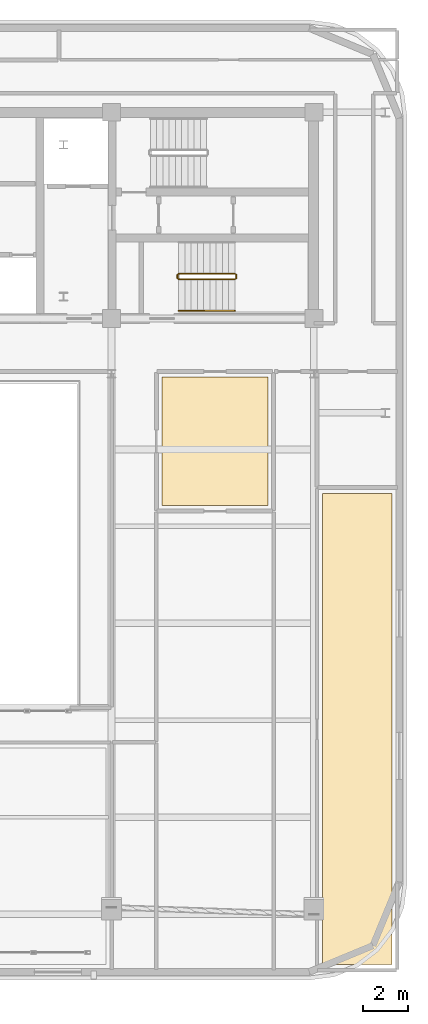
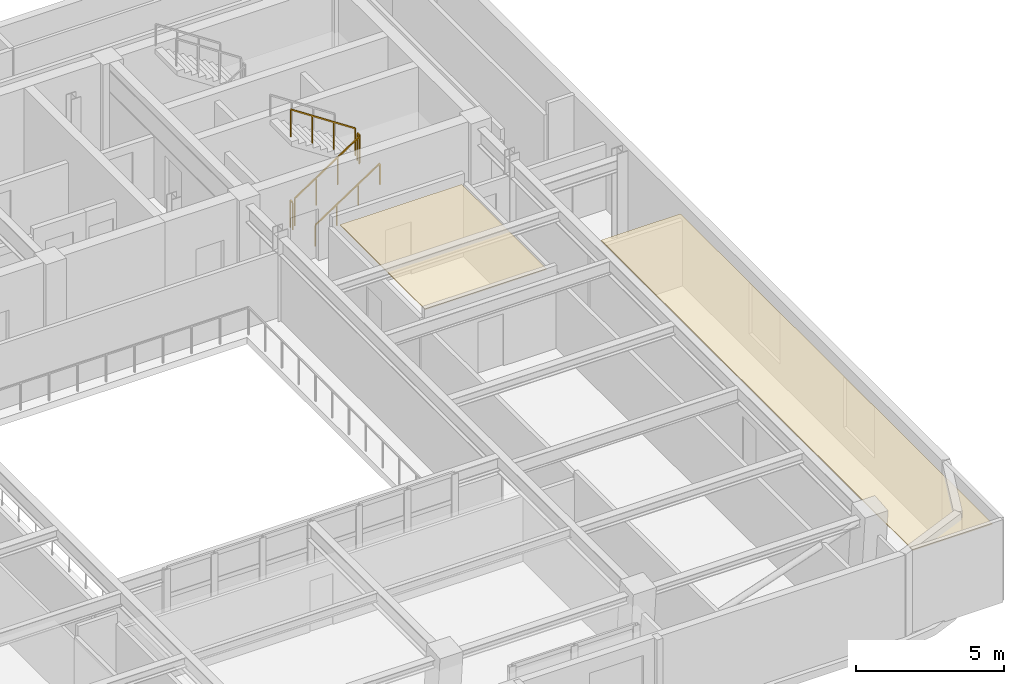
# One storey, part 11 of 12: 5 railings, 2 coverings.
"""IFC4 building model written with IfcOpenShell, lengths in metres."""

import ifcopenshell
import ifcopenshell.guid

model = None  # the IFC model being written
_history = None  # IfcOwnerHistory: only IFC2X3 demands one
_inside = {}  # id of a spatial element -> (the spatial element, [elements in it])
_under = {}  # id of a project, library or spatial element -> (it, [spatial elements below it])
_declared = {}  # id of a project -> (the project, [libraries it declares])
_typed = {}  # id of a type object -> (the type object, [elements of that type])
_made_of = {}  # id of a material, layer set ... -> (it, [elements and type objects made of it])


def new_model(schema):
    """Start an empty IFC model of exactly this schema.

    Asked for "IFC4X3", IfcOpenShell would pick the latest addendum, in which some entities
    have other attributes; the version numbers below select the first issue.
    IFC2X3 requires an IfcOwnerHistory on every rooted entity: one is made here for all.
    """
    global model, _history
    if schema == "IFC4X3":
        model = ifcopenshell.file(schema_version=(4, 3, 0, 0))
    else:
        model = ifcopenshell.file(schema=schema)
    _inside.clear()
    _under.clear()
    _declared.clear()
    _typed.clear()
    _made_of.clear()
    _history = None
    if model.schema == "IFC2X3":
        org = make("IfcOrganization", Name="unknown")
        user = make(
            "IfcPersonAndOrganization",
            ThePerson=make("IfcPerson", FamilyName="unknown"),
            TheOrganization=org,
        )
        app = make(
            "IfcApplication",
            ApplicationDeveloper=org,
            Version="unknown",
            ApplicationFullName="unknown",
            ApplicationIdentifier="unknown",
        )
        _history = make(
            "IfcOwnerHistory",
            OwningUser=user,
            OwningApplication=app,
            ChangeAction="ADDED",
            CreationDate=0,
        )
    return model


def make(cls, **values):
    """One entity of the class cls with the attributes given. An attribute that is None is left unset."""
    return model.create_entity(
        cls, **{name: value for name, value in values.items() if value is not None}
    )


def rooted(cls, **values):
    """An entity with a GlobalId (a new one), such as an element, a storey or a relation."""
    return make(cls, GlobalId=ifcopenshell.guid.new(), OwnerHistory=_history, **values)


def si_unit(unit_type, name, prefix=None):
    """IfcSIUnit, for example si_unit("LENGTHUNIT", "METRE", prefix="MILLI")."""
    return make("IfcSIUnit", UnitType=unit_type, Prefix=prefix, Name=name)


def assignment(units):
    """IfcUnitAssignment: the units of a project."""
    return None if units is None else make("IfcUnitAssignment", Units=units)


def point(xyz):
    """IfcCartesianPoint."""
    return None if xyz is None else make("IfcCartesianPoint", Coordinates=xyz)


def direction(xyz):
    """IfcDirection."""
    return None if xyz is None else make("IfcDirection", DirectionRatios=xyz)


def frame(location, z_axis=None, x_axis=None):
    """IfcAxis2Placement3D, a coordinate frame: its origin and axes. An axis left out is left unset."""
    return make(
        "IfcAxis2Placement3D",
        Location=point(location),
        Axis=direction(z_axis),
        RefDirection=direction(x_axis),
    )


def frame_2d(location, x_axis=None):
    """IfcAxis2Placement2D, a coordinate frame in the plane: its origin and x axis."""
    return make(
        "IfcAxis2Placement2D", Location=point(location), RefDirection=direction(x_axis)
    )


def origin():
    """The frame at (0, 0, 0) with its axes left unset."""
    return frame((0.0, 0.0, 0.0))


def origin_2d():
    """The frame at (0, 0) in the plane with its x axis left unset."""
    return frame_2d((0.0, 0.0))


def place(relative_to, where):
    """IfcLocalPlacement: puts the frame where relative to a parent placement (None: the world)."""
    return make(
        "IfcLocalPlacement", PlacementRelTo=relative_to, RelativePlacement=where
    )


def context(
    kind, dimensions, precision=None, world=None, true_north=None, identifier=None
):
    """IfcGeometricRepresentationContext, for example the 3D "Model" context."""
    return make(
        "IfcGeometricRepresentationContext",
        ContextIdentifier=identifier,
        ContextType=kind,
        CoordinateSpaceDimension=dimensions,
        Precision=precision,
        WorldCoordinateSystem=world,
        TrueNorth=true_north,
    )


def subcontext(parent, identifier, kind, view, scale=None):
    """IfcGeometricRepresentationSubContext, for example "Body" below "Model"."""
    return make(
        "IfcGeometricRepresentationSubContext",
        ContextIdentifier=identifier,
        ContextType=kind,
        ParentContext=parent,
        TargetScale=scale,
        TargetView=view,
    )


def project(units=None, contexts=None):
    """IfcProject with its units and contexts."""
    return rooted(
        "IfcProject",
        Name="project",
        RepresentationContexts=contexts,
        UnitsInContext=assignment(units),
    )


def spatial(cls, under=None, at=None, **own):
    """A site, building, storey or space (cls), placed at a placement, below another one or the project."""
    s = rooted(cls, ObjectPlacement=at, **own)
    if under is not None:
        _under.setdefault(under.id(), (under, []))[1].append(s)
    return s


def polyline(points):
    """IfcPolyline through the points."""
    return make("IfcPolyline", Points=[point(p) for p in points])


def profile(cls, at=None, kind="AREA", **sizes):
    """A parametric profile (cls). Its sizes go by their IFC names, for example OverallWidth=200.0."""
    return make(cls, ProfileType=kind, Position=at, **sizes)


def rectangle(**sizes):
    """IfcRectangleProfileDef."""
    return profile("IfcRectangleProfileDef", **sizes)


def outline(outer, holes=None, kind="AREA"):
    """IfcArbitraryClosedProfileDef: a profile drawn as a closed curve; with holes, ...WithVoids."""
    if holes is None:
        return make("IfcArbitraryClosedProfileDef", ProfileType=kind, OuterCurve=outer)
    return make(
        "IfcArbitraryProfileDefWithVoids",
        ProfileType=kind,
        OuterCurve=outer,
        InnerCurves=holes,
    )


def extrude(swept, where, along, depth):
    """IfcExtrudedAreaSolid: the profile swept, set in the frame where, extruded along a direction by depth."""
    return make(
        "IfcExtrudedAreaSolid",
        SweptArea=swept,
        Position=where,
        ExtrudedDirection=direction(along),
        Depth=depth,
    )


def shape(context_of_items, identifier, shape_type, items):
    """IfcShapeRepresentation: the items that make up one representation, for example the "Body"."""
    return make(
        "IfcShapeRepresentation",
        ContextOfItems=context_of_items,
        RepresentationIdentifier=identifier,
        RepresentationType=shape_type,
        Items=items,
    )


def material(Name=None, Category=None):
    """IfcMaterial."""
    return make("IfcMaterial", Name=Name, Category=Category)


def layer(
    of_material, thickness, ventilated=None, Name=None, Category=None, Priority=None
):
    """IfcMaterialLayer: one layer of a wall or slab, of a material (None: an air gap)."""
    return make(
        "IfcMaterialLayer",
        Material=of_material,
        LayerThickness=thickness,
        IsVentilated=ventilated,
        Name=Name,
        Category=Category,
        Priority=Priority,
    )


def layer_set(layers, Name=None):
    """IfcMaterialLayerSet."""
    return make("IfcMaterialLayerSet", MaterialLayers=layers, LayerSetName=Name)


def made_of(thing, what):
    """Note that an element or type object is made of a material, layer set ...; save() writes the relation."""
    if what is not None:
        _made_of.setdefault(what.id(), (what, []))[1].append(thing)
    return thing


def type_object(cls, material=None, **own):
    """A type object (cls), such as IfcWallType, which elements share."""
    return made_of(rooted(cls, **own), material)


def element(
    cls,
    number,
    at=None,
    inside=None,
    cuts=None,
    type_object=None,
    material=None,
    context=None,
    identifier="Body",
    shape_type=None,
    held_by="IfcProductDefinitionShape",
    body=None,
    shapes=None,
    **own,
):
    """One element of the class cls, such as IfcWall. Its Tag is "e" and its number.

    at: its placement. inside: the storey or other place that contains it. cuts: it is an
    opening in that element (IfcRelVoidsElement). A single representation is given by context,
    identifier, shape_type and body (its items); several are given by shapes. held_by: the class
    of the entity that holds the representations. save() writes the other relations.
    """
    e = rooted(cls, Tag="e%d" % number, ObjectPlacement=at, **own)
    if body is not None:
        shapes = [shape(context, identifier, shape_type, body)]
    if shapes is not None:
        e.Representation = make(held_by, Representations=shapes)
    if inside is not None:
        _inside.setdefault(inside.id(), (inside, []))[1].append(e)
    if cuts is not None:
        rooted(
            "IfcRelVoidsElement", RelatingBuildingElement=cuts, RelatedOpeningElement=e
        )
    if type_object is not None:
        _typed.setdefault(type_object.id(), (type_object, []))[1].append(e)
    return made_of(e, material)


def aggregate(whole, parts):
    """IfcRelAggregates: a whole, such as a stair, and the parts it consists of."""
    return rooted("IfcRelAggregates", RelatingObject=whole, RelatedObjects=parts)


def save(model, path):
    """Write the relations noted so far, then the file.

    IfcRelAggregates (storeys below a building ...), IfcRelContainedInSpatialStructure (elements
    in a storey), IfcRelDefinesByType, IfcRelAssociatesMaterial and IfcRelDeclares: one each for
    every whole, place, type object, material and project.
    """
    for whole, parts in _under.values():
        aggregate(whole, parts)
    for where, things in _inside.values():
        rooted(
            "IfcRelContainedInSpatialStructure",
            RelatedElements=things,
            RelatingStructure=where,
        )
    for kind, things in _typed.values():
        rooted("IfcRelDefinesByType", RelatedObjects=things, RelatingType=kind)
    for what, things in _made_of.values():
        rooted("IfcRelAssociatesMaterial", RelatedObjects=things, RelatingMaterial=what)
    for by, libraries in _declared.values():
        rooted("IfcRelDeclares", RelatingContext=by, RelatedDefinitions=libraries)
    model.write(path)


model = new_model("IFC4")

# Units and contexts
model_context = context("Model", 3, precision=1e-05, world=origin(), true_north=direction((0.0, 1.0)))
body_context = subcontext(model_context, "Body", "Model", "MODEL_VIEW")
ifc_project = project(units=[si_unit("LENGTHUNIT", "METRE"), si_unit("AREAUNIT", "SQUARE_METRE"), si_unit("VOLUMEUNIT", "CUBIC_METRE"), si_unit("PLANEANGLEUNIT", "RADIAN"), si_unit("MASSUNIT", "GRAM", prefix="KILO")], contexts=[model_context])

# Site, building, storey
site_placement = place(None, origin())
site = spatial("IfcSite", under=ifc_project, at=site_placement, CompositionType="ELEMENT")
building_placement = place(site_placement, origin())
building = spatial("IfcBuilding", under=site, at=building_placement, Name="Zarnavel Station Tower", CompositionType="ELEMENT")
storey_placement = place(building_placement, frame((0.0, 0.0, 273.199951171875)))
storey = spatial("IfcBuildingStorey", under=building, at=storey_placement, Name="L74", CompositionType="ELEMENT", Elevation=273.199951171875)

# Coverings
ifc_material_1 = material(Name="Perforated Gypsum and Mineral-Wool Acoustic Ceiling", Category="concrete")
ifc_layer = layer(ifc_material_1, 0.0400390625)
ifc_layer_set = layer_set([ifc_layer], Name="COV_CEIL_ACOUSTIC")
covering_type = type_object("IfcCoveringType", Name="COV_CEIL_ACOUSTIC", PredefinedType="CEILING", material=ifc_layer_set)
covering_1_placement = place(storey_placement, frame((0.0, 0.0, 3.10009765625)))
element("IfcCovering", 1, at=covering_1_placement, inside=storey, type_object=covering_type, Name="L74 SKIT Acoustic Ceiling", PredefinedType="CEILING", context=body_context, shape_type="SweptSolid", body=[
    extrude(outline(polyline([(38.60009765625, 19.449951171875), (43.35009765625, 19.449951171875), (43.35009765625, 25.199951171875), (38.60009765625, 25.199951171875), (38.60009765625, 19.449951171875)])), origin(), (0.0, 0.0, 1.0), 0.0400390625),
])
covering_2_placement = place(storey_placement, frame((0.0, 0.0, 3.10009765625)))
element("IfcCovering", 2, at=covering_2_placement, inside=storey, type_object=covering_type, Name="L74 SLGN Acoustic Ceiling", PredefinedType="CEILING", context=body_context, shape_type="SweptSolid", body=[
    extrude(outline(polyline([(45.7900390625, -1.090087890625), (48.889892578125, -1.090087890625), (48.889892578125, 20.0), (45.7900390625, 20.0), (45.7900390625, -1.090087890625)])), origin(), (0.0, 0.0, 1.0), 0.0400390625),
])

# Railings
ifc_material_2 = material(Name="Painted Steel S355J2 Balustrade", Category="steel")
railing_type_1 = type_object("IfcRailingType", Name="GR_INT_1150", PredefinedType="GUARDRAIL", material=ifc_material_2)
railing_1_placement = place(storey_placement, frame((39.35009765625, 29.570068359375, 0.18505859375)))
element("IfcRailing", 3, at=railing_1_placement, inside=storey, type_object=railing_type_1, Name="L74 ST3 stair guard 1", PredefinedType="GUARDRAIL", context=body_context, shape_type="SweptSolid", body=[
    extrude(rectangle(XDim=0.048095703125, YDim=0.048095703125, at=origin_2d()), frame((0.001708984375, 0.0, 1.126953125), z_axis=(0.834331337432, 0.0, 0.55126329406), x_axis=(0.0, 1.0, 0.0)), (0.0, 0.0, 1.0), 3.016357421875),
    extrude(rectangle(XDim=0.0419921875, YDim=0.0419921875, at=origin_2d()), origin(), (0.0, 0.0, 1.0), 1.101806640625),
    extrude(rectangle(XDim=0.0419921875, YDim=0.0419921875, at=origin_2d()), frame((0.840087890625, 0.0, 0.554931640625)), (0.0, 0.0, 1.0), 1.101806640625),
    extrude(rectangle(XDim=0.0419921875, YDim=0.0419921875, at=origin_2d()), frame((1.679931640625, 0.0, 1.110107421875)), (0.0, 0.0, 1.0), 1.101806640625),
    extrude(rectangle(XDim=0.0419921875, YDim=0.0419921875, at=origin_2d()), frame((2.52001953125, 0.0, 1.6650390625)), (0.0, 0.0, 1.0), 1.101806640625),
])
railing_2_placement = place(storey_placement, frame((41.919921875, 29.6201171875, 1.85009765625)))
element("IfcRailing", 4, at=railing_2_placement, inside=storey, type_object=railing_type_1, Name="L74 ST3 stair guard 2", PredefinedType="GUARDRAIL", context=body_context, shape_type="SweptSolid", body=[
    extrude(rectangle(XDim=0.048095703125, YDim=0.048095703125, at=origin_2d()), frame((0.0, 0.001953125, 1.1259765625), z_axis=(0.0, 1.0, 0.0), x_axis=(-1.0, 0.0, 0.0)), (0.0, 0.0, 1.0), 0.156005859375),
    extrude(rectangle(XDim=0.0419921875, YDim=0.0419921875, at=origin_2d()), origin(), (0.0, 0.0, 1.0), 1.101806640625),
    extrude(rectangle(XDim=0.0419921875, YDim=0.0419921875, at=origin_2d()), frame((0.0, 0.159912109375, 0.0)), (0.0, 0.0, 1.0), 1.101806640625),
])
railing_3_placement = place(storey_placement, frame((41.8701171875, 29.830078125, 2.03515625)))
element("IfcRailing", 5, at=railing_3_placement, inside=storey, type_object=railing_type_1, Name="L74 ST3 stair guard 3", PredefinedType="GUARDRAIL", context=body_context, shape_type="SweptSolid", body=[
    extrude(rectangle(XDim=0.048095703125, YDim=0.048095703125, at=origin_2d()), frame((-0.001708984375, 0.0, 1.126953125), z_axis=(-0.83436851402, 0.0, 0.551207023552), x_axis=(0.0, -1.0, 0.0)), (0.0, 0.0, 1.0), 3.016357421875),
    extrude(rectangle(XDim=0.0419921875, YDim=0.0419921875, at=origin_2d()), origin(), (0.0, 0.0, 1.0), 1.101806640625),
    extrude(rectangle(XDim=0.0419921875, YDim=0.0419921875, at=origin_2d()), frame((-0.840087890625, 0.0, 0.554931640625)), (0.0, 0.0, 1.0), 1.101806640625),
    extrude(rectangle(XDim=0.0419921875, YDim=0.0419921875, at=origin_2d()), frame((-1.679931640625, 0.0, 1.10986328125)), (0.0, 0.0, 1.0), 1.101806640625),
    extrude(rectangle(XDim=0.0419921875, YDim=0.0419921875, at=origin_2d()), frame((-2.52001953125, 0.0, 1.664794921875)), (0.0, 0.0, 1.0), 1.101806640625),
])
railing_4_placement = place(storey_placement, frame((39.300048828125, 29.6201171875, 0.0)))
element("IfcRailing", 6, at=railing_4_placement, inside=storey, type_object=railing_type_1, Name="L74 ST3 stair guard 4", PredefinedType="GUARDRAIL", context=body_context, shape_type="SweptSolid", body=[
    extrude(rectangle(XDim=0.048095703125, YDim=0.048095703125, at=origin_2d()), frame((0.0, 0.001953125, 1.1259765625), z_axis=(0.0, 1.0, 0.0), x_axis=(-1.0, 0.0, 0.0)), (0.0, 0.0, 1.0), 0.156005859375),
    extrude(rectangle(XDim=0.0419921875, YDim=0.0419921875, at=origin_2d()), origin(), (0.0, 0.0, 1.0), 1.101806640625),
    extrude(rectangle(XDim=0.0419921875, YDim=0.0419921875, at=origin_2d()), frame((0.0, 0.159912109375, 0.0)), (0.0, 0.0, 1.0), 1.101806640625),
])
ifc_material_3 = material(Name="Brushed Stainless Steel S355J2 Handrail", Category="steel")
railing_type_2 = type_object("IfcRailingType", Name="HR_STAIR_900", PredefinedType="HANDRAIL", material=ifc_material_3)
railing_5_placement = place(storey_placement, frame((39.35009765625, 28.169921875, 0.18505859375)))
element("IfcRailing", 7, at=railing_5_placement, inside=storey, type_object=railing_type_2, Name="L74 ST3 stair handrail 1", PredefinedType="HANDRAIL", context=body_context, shape_type="SweptSolid", body=[
    extrude(rectangle(XDim=0.048095703125, YDim=0.048095703125, at=origin_2d()), frame((0.001708984375, 0.0, 0.876953125), z_axis=(0.834331337432, 0.0, 0.55126329406), x_axis=(0.0, 1.0, 0.0)), (0.0, 0.0, 1.0), 3.016357421875),
    extrude(rectangle(XDim=0.0419921875, YDim=0.0419921875, at=origin_2d()), origin(), (0.0, 0.0, 1.0), 0.851806640625),
    extrude(rectangle(XDim=0.0419921875, YDim=0.0419921875, at=origin_2d()), frame((0.840087890625, 0.0, 0.554931640625)), (0.0, 0.0, 1.0), 0.851806640625),
    extrude(rectangle(XDim=0.0419921875, YDim=0.0419921875, at=origin_2d()), frame((1.679931640625, 0.0, 1.110107421875)), (0.0, 0.0, 1.0), 0.851806640625),
    extrude(rectangle(XDim=0.0419921875, YDim=0.0419921875, at=origin_2d()), frame((2.52001953125, 0.0, 1.6650390625)), (0.0, 0.0, 1.0), 0.851806640625),
])

save(model, "model.ifc")
